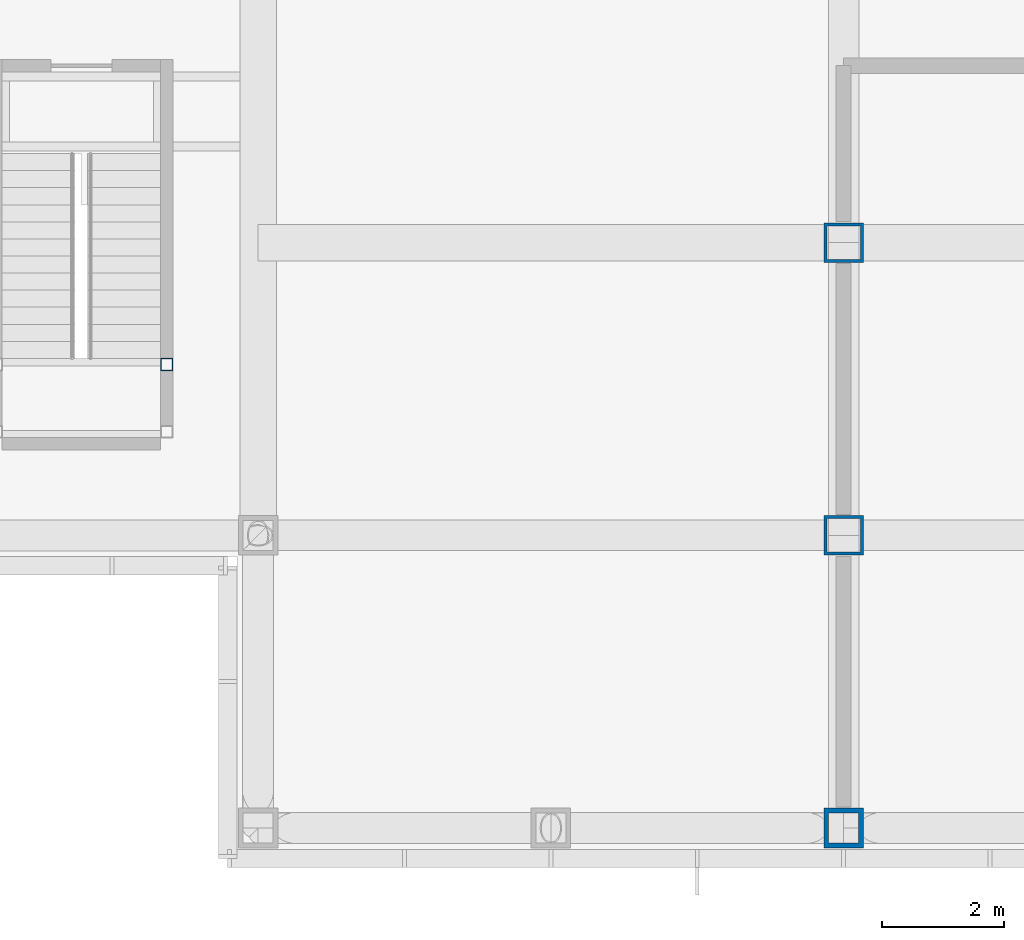
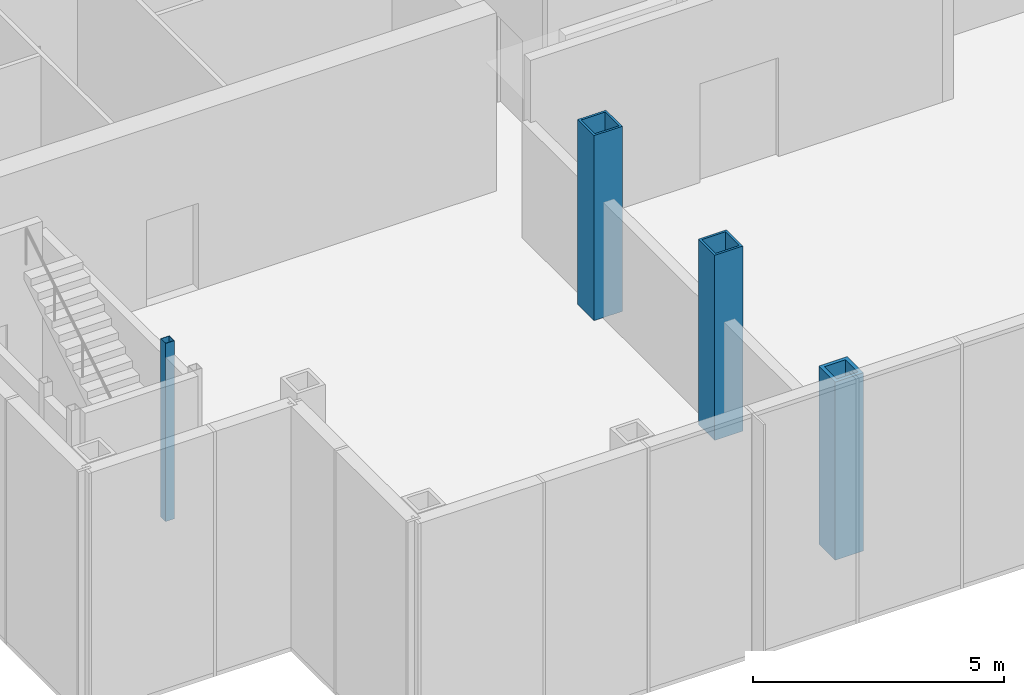
# One storey, part 2 of 17: 4 columns.
"""IFC4 building model written with IfcOpenShell, lengths in metres."""

from ifc_helpers import new_model, si_unit, direction, frame, origin, origin_2d, place, context, subcontext, project, spatial, hollow_rectangle, extrude, material, material_profile, profile_set, type_object, element, save


model = new_model("IFC4")

# Units and contexts
model_context = context("Model", 3, precision=1e-05, world=origin(), true_north=direction((0.0, 1.0)))
body_context = subcontext(model_context, "Body", "Model", "MODEL_VIEW")
ifc_project = project(units=[si_unit("LENGTHUNIT", "METRE"), si_unit("AREAUNIT", "SQUARE_METRE"), si_unit("VOLUMEUNIT", "CUBIC_METRE"), si_unit("PLANEANGLEUNIT", "RADIAN"), si_unit("MASSUNIT", "GRAM", prefix="KILO")], contexts=[model_context])

# Site, building, storey
site_placement = place(None, origin())
site = spatial("IfcSite", under=ifc_project, at=site_placement, CompositionType="ELEMENT")
building_placement = place(site_placement, origin())
building = spatial("IfcBuilding", under=site, at=building_placement, Name="Kvirike Care Tower", CompositionType="ELEMENT")
storey_placement = place(building_placement, frame((0.0, 0.0, 136.5)))
storey = spatial("IfcBuildingStorey", under=building, at=storey_placement, Name="L37", CompositionType="ELEMENT", Elevation=136.5)

# Columns
ifc_material_1 = material(Name="Steel S460", Category="steel")
ifc_material_profile_1 = material_profile(ifc_material_1, hollow_rectangle(XDim=0.64990234375, YDim=0.64990234375, WallThickness=0.050048828125, at=origin_2d()), Name="BX 650x650x50")
ifc_profile_set_1 = profile_set([ifc_material_profile_1], Name="Steel S460")
column_type_1 = type_object("IfcColumnType", Name="COLUMN BX 650x650x50", PredefinedType="COLUMN", material=ifc_profile_set_1)
for number, where, z_axis, x_axis, name in (
    (1, (28.800048828125, 19.199951171875, 0.0), (0.0, 0.0, 1.0), (1.0, 0.0, 0.0), "Column E9 L37"),
    (2, (28.800048828125, 24.0, 0.0), (0.0, 0.0, 1.0), (1.0, 0.0, 0.0), "Column F9 L37"),
):
    element("IfcColumn", number, at=place(storey_placement, frame(where, z_axis=z_axis, x_axis=x_axis)), inside=storey, type_object=column_type_1, Name=name, PredefinedType="COLUMN", context=body_context, shape_type="SweptSolid", body=[
        extrude(hollow_rectangle(XDim=0.64990234375, YDim=0.64990234375, WallThickness=0.050048828125, at=origin_2d()), origin(), (0.0, 0.0, 1.0), 4.5),
    ])
ifc_material_2 = material(Name="Steel S460", Category="steel")
ifc_material_profile_2 = material_profile(ifc_material_2, hollow_rectangle(XDim=0.64990234375, YDim=0.64990234375, WallThickness=0.080078125, at=origin_2d()), Name="BX 650x650x80")
ifc_profile_set_2 = profile_set([ifc_material_profile_2], Name="Steel S460")
column_type_2 = type_object("IfcColumnType", Name="COLUMN BX 650x650x80", PredefinedType="COLUMN", material=ifc_profile_set_2)
column_1_placement = place(storey_placement, frame((28.800048828125, 14.39990234375, 0.0), z_axis=(0.0, 0.0, 1.0), x_axis=(0.0, 1.0, 0.0)))
element("IfcColumn", 3, at=column_1_placement, inside=storey, type_object=column_type_2, Name="Column D9 L37", PredefinedType="COLUMN", context=body_context, shape_type="SweptSolid", body=[
    extrude(hollow_rectangle(XDim=0.64990234375, YDim=0.64990234375, WallThickness=0.080078125, at=origin_2d()), origin(), (0.0, 0.0, 1.0), 4.330078125),
])
ifc_material_3 = material(Name="Steel S460", Category="steel")
ifc_material_profile_3 = material_profile(ifc_material_3, hollow_rectangle(XDim=0.199951171875, YDim=0.199951171875, WallThickness=0.008056640625, at=origin_2d()), Name="SHS 200x200x8")
ifc_profile_set_3 = profile_set([ifc_material_profile_3], Name="Steel S460")
column_type_3 = type_object("IfcColumnType", Name="STAIR POST SHS 200x200x8", PredefinedType="COLUMN", material=ifc_profile_set_3)
column_2_placement = place(storey_placement, frame((17.699951171875, 22.0, 0.0), z_axis=(0.0, 0.0, 1.0), x_axis=(1.0, 0.0, 0.0)))
element("IfcColumn", 4, at=column_2_placement, inside=storey, type_object=column_type_3, Name="Stair 5 post 4 L37", PredefinedType="COLUMN", context=body_context, shape_type="SweptSolid", body=[
    extrude(hollow_rectangle(XDim=0.199951171875, YDim=0.199951171875, WallThickness=0.008056640625, at=origin_2d()), origin(), (0.0, 0.0, 1.0), 4.330078125),
])

save(model, "model.ifc")
